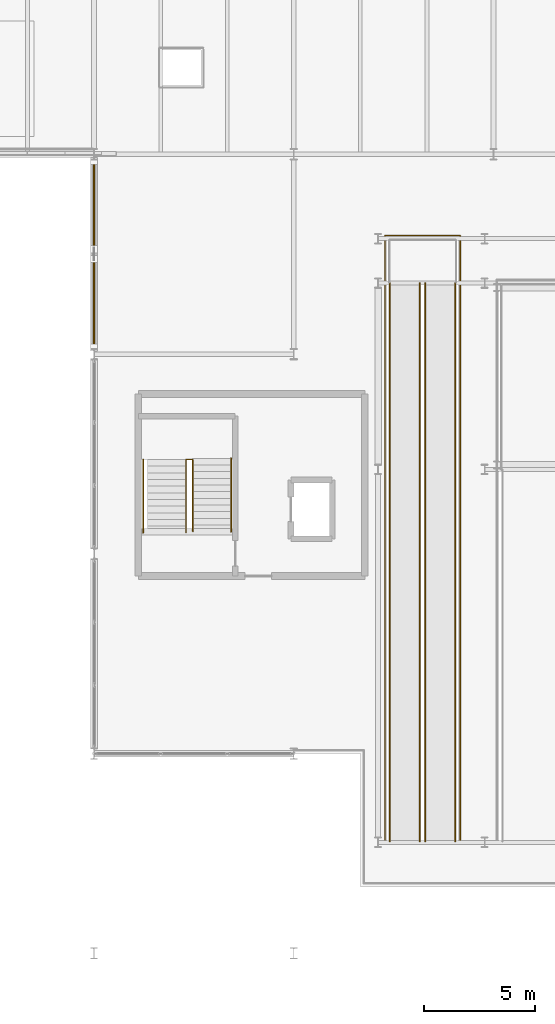
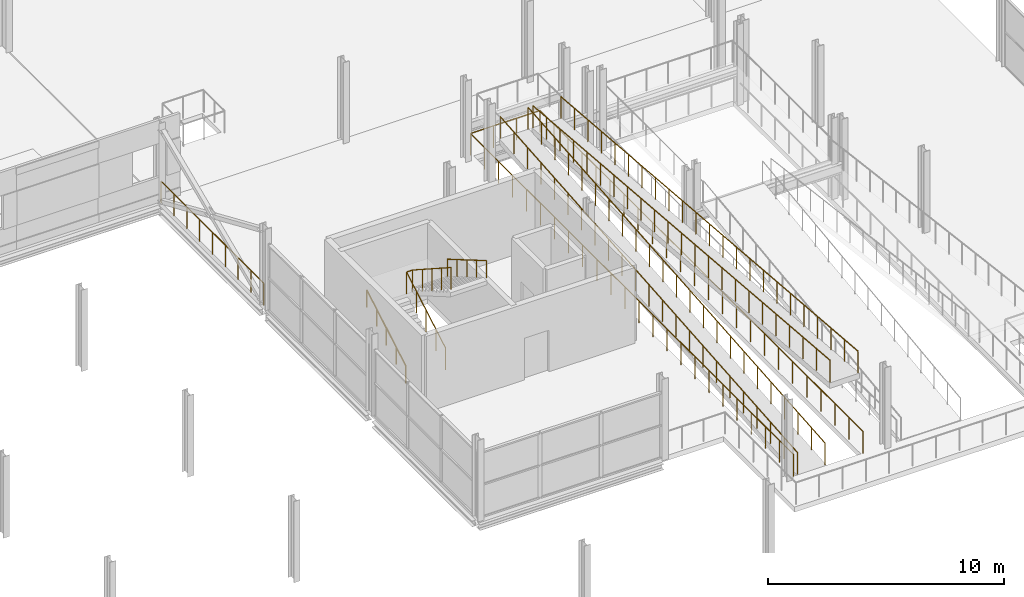
# One storey, part 95 of 103: 9 railings.
"""IFC4 building model written with IfcOpenShell, lengths in metres."""

from ifc_helpers import new_model, si_unit, direction, frame, origin, origin_2d, place, context, subcontext, project, spatial, circle, extrude, material, type_object, element, save


model = new_model("IFC4")

# Units and contexts
model_context = context("Model", 3, precision=1e-05, world=origin(), true_north=direction((0.0, 1.0)))
body_context = subcontext(model_context, "Body", "Model", "MODEL_VIEW")
ifc_project = project(units=[si_unit("LENGTHUNIT", "METRE"), si_unit("AREAUNIT", "SQUARE_METRE"), si_unit("VOLUMEUNIT", "CUBIC_METRE"), si_unit("PLANEANGLEUNIT", "RADIAN"), si_unit("MASSUNIT", "GRAM", prefix="KILO")], contexts=[model_context])

# Site, building, storey
site_placement = place(None, origin())
site = spatial("IfcSite", under=ifc_project, at=site_placement, CompositionType="ELEMENT")
building_placement = place(site_placement, origin())
building = spatial("IfcBuilding", under=site, at=building_placement, Name="Deido Ridge Mobility Hub", CompositionType="ELEMENT")
storey_placement = place(building_placement, frame((0.0, 0.0, 12.60009765625)))
storey = spatial("IfcBuildingStorey", under=building, at=storey_placement, Name="L03", CompositionType="ELEMENT", Elevation=12.60009765625)

# Railings
ifc_material_1 = material(Name="Galvanised steel work", Category="steel")
railing_type_1 = type_object("IfcRailingType", Name="RL-GRD-EXT-1150", PredefinedType="GUARDRAIL", material=ifc_material_1)
railing_1_placement = place(storey_placement, frame((72.0, 72.14990234375, 0.0)))
element("IfcRailing", 1, at=railing_1_placement, inside=storey, type_object=railing_type_1, Name="Braced bay perimeter guard (L03)", PredefinedType="GUARDRAIL", context=body_context, shape_type="SweptSolid", body=[
    extrude(circle(Radius=0.02392578125, at=origin_2d()), frame((0.0, 0.0, 1.1259765625), z_axis=(0.0, 1.0, 0.0), x_axis=(-1.0, 0.0, 0.0)), (0.0, 0.0, 1.0), 8.7001953125),
    extrude(circle(Radius=0.02099609375, at=origin_2d()), origin(), (0.0, 0.0, 1.0), 1.101806640625),
    extrude(circle(Radius=0.02099609375, at=origin_2d()), frame((0.0, 1.08740234375, 0.0)), (0.0, 0.0, 1.0), 1.101806640625),
    extrude(circle(Radius=0.02099609375, at=origin_2d()), frame((0.0, 2.175048828125, 0.0)), (0.0, 0.0, 1.0), 1.101806640625),
    extrude(circle(Radius=0.02099609375, at=origin_2d()), frame((0.0, 3.2626953125, 0.0)), (0.0, 0.0, 1.0), 1.101806640625),
    extrude(circle(Radius=0.02099609375, at=origin_2d()), frame((0.0, 4.35009765625, 0.0)), (0.0, 0.0, 1.0), 1.101806640625),
    extrude(circle(Radius=0.02099609375, at=origin_2d()), frame((0.0, 5.4375, 0.0)), (0.0, 0.0, 1.0), 1.101806640625),
    extrude(circle(Radius=0.02099609375, at=origin_2d()), frame((0.0, 6.525146484375, 0.0)), (0.0, 0.0, 1.0), 1.101806640625),
    extrude(circle(Radius=0.02099609375, at=origin_2d()), frame((0.0, 7.61279296875, 0.0)), (0.0, 0.0, 1.0), 1.101806640625),
    extrude(circle(Radius=0.02099609375, at=origin_2d()), frame((0.0, 8.7001953125, 0.0)), (0.0, 0.0, 1.0), 1.101806640625),
])
railing_2_placement = place(storey_placement, frame((85.10009765625, 50.0, 0.0)))
element("IfcRailing", 2, at=railing_2_placement, inside=storey, type_object=railing_type_1, Name="Cycle ramp well guard (L03)", PredefinedType="GUARDRAIL", context=body_context, shape_type="SweptSolid", body=[
    extrude(circle(Radius=0.02392578125, at=origin_2d()), frame((0.0, 0.0, 1.1259765625), z_axis=(0.0, 1.0, 0.0), x_axis=(-1.0, 0.0, 0.0)), (0.0, 0.0, 1.0), 27.35009765625),
    extrude(circle(Radius=0.02392578125, at=origin_2d()), frame((0.0, 27.35009765625, 1.1259765625), z_axis=(1.0, 0.0, 0.0), x_axis=(0.0, 1.0, 0.0)), (0.0, 0.0, 1.0), 3.39990234375),
    extrude(circle(Radius=0.02392578125, at=origin_2d()), frame((3.39990234375, 27.35009765625, 1.1259765625), z_axis=(0.0, -1.0, 0.0), x_axis=(1.0, 0.0, 0.0)), (0.0, 0.0, 1.0), 27.35009765625),
    extrude(circle(Radius=0.02099609375, at=origin_2d()), origin(), (0.0, 0.0, 1.0), 1.101806640625),
    extrude(circle(Radius=0.02099609375, at=origin_2d()), frame((0.0, 1.189208984375, 0.0)), (0.0, 0.0, 1.0), 1.101806640625),
    extrude(circle(Radius=0.02099609375, at=origin_2d()), frame((0.0, 2.378173828125, 0.0)), (0.0, 0.0, 1.0), 1.101806640625),
    extrude(circle(Radius=0.02099609375, at=origin_2d()), frame((0.0, 3.5673828125, 0.0)), (0.0, 0.0, 1.0), 1.101806640625),
    extrude(circle(Radius=0.02099609375, at=origin_2d()), frame((0.0, 4.756591796875, 0.0)), (0.0, 0.0, 1.0), 1.101806640625),
    extrude(circle(Radius=0.02099609375, at=origin_2d()), frame((0.0, 5.945556640625, 0.0)), (0.0, 0.0, 1.0), 1.101806640625),
    extrude(circle(Radius=0.02099609375, at=origin_2d()), frame((0.0, 7.134765625, 0.0)), (0.0, 0.0, 1.0), 1.101806640625),
    extrude(circle(Radius=0.02099609375, at=origin_2d()), frame((0.0, 8.323974609375, 0.0)), (0.0, 0.0, 1.0), 1.101806640625),
    extrude(circle(Radius=0.02099609375, at=origin_2d()), frame((0.0, 9.51318359375, 0.0)), (0.0, 0.0, 1.0), 1.101806640625),
    extrude(circle(Radius=0.02099609375, at=origin_2d()), frame((0.0, 10.7021484375, 0.0)), (0.0, 0.0, 1.0), 1.101806640625),
    extrude(circle(Radius=0.02099609375, at=origin_2d()), frame((0.0, 11.891357421875, 0.0)), (0.0, 0.0, 1.0), 1.101806640625),
    extrude(circle(Radius=0.02099609375, at=origin_2d()), frame((0.0, 13.08056640625, 0.0)), (0.0, 0.0, 1.0), 1.101806640625),
    extrude(circle(Radius=0.02099609375, at=origin_2d()), frame((0.0, 14.26953125, 0.0)), (0.0, 0.0, 1.0), 1.101806640625),
    extrude(circle(Radius=0.02099609375, at=origin_2d()), frame((0.0, 15.458740234375, 0.0)), (0.0, 0.0, 1.0), 1.101806640625),
    extrude(circle(Radius=0.02099609375, at=origin_2d()), frame((0.0, 16.64794921875, 0.0)), (0.0, 0.0, 1.0), 1.101806640625),
    extrude(circle(Radius=0.02099609375, at=origin_2d()), frame((0.0, 17.8369140625, 0.0)), (0.0, 0.0, 1.0), 1.101806640625),
    extrude(circle(Radius=0.02099609375, at=origin_2d()), frame((0.0, 19.026123046875, 0.0)), (0.0, 0.0, 1.0), 1.101806640625),
    extrude(circle(Radius=0.02099609375, at=origin_2d()), frame((0.0, 20.21533203125, 0.0)), (0.0, 0.0, 1.0), 1.101806640625),
    extrude(circle(Radius=0.02099609375, at=origin_2d()), frame((0.0, 21.404541015625, 0.0)), (0.0, 0.0, 1.0), 1.101806640625),
    extrude(circle(Radius=0.02099609375, at=origin_2d()), frame((0.0, 22.593505859375, 0.0)), (0.0, 0.0, 1.0), 1.101806640625),
    extrude(circle(Radius=0.02099609375, at=origin_2d()), frame((0.0, 23.78271484375, 0.0)), (0.0, 0.0, 1.0), 1.101806640625),
    extrude(circle(Radius=0.02099609375, at=origin_2d()), frame((0.0, 24.971923828125, 0.0)), (0.0, 0.0, 1.0), 1.101806640625),
    extrude(circle(Radius=0.02099609375, at=origin_2d()), frame((0.0, 26.160888671875, 0.0)), (0.0, 0.0, 1.0), 1.101806640625),
    extrude(circle(Radius=0.02099609375, at=origin_2d()), frame((0.0, 27.35009765625, 0.0)), (0.0, 0.0, 1.0), 1.101806640625),
    extrude(circle(Radius=0.02099609375, at=origin_2d()), frame((1.13330078125, 27.35009765625, 0.0)), (0.0, 0.0, 1.0), 1.101806640625),
    extrude(circle(Radius=0.02099609375, at=origin_2d()), frame((2.2666015625, 27.35009765625, 0.0)), (0.0, 0.0, 1.0), 1.101806640625),
    extrude(circle(Radius=0.02099609375, at=origin_2d()), frame((3.39990234375, 27.35009765625, 0.0)), (0.0, 0.0, 1.0), 1.101806640625),
    extrude(circle(Radius=0.02099609375, at=origin_2d()), frame((3.39990234375, 26.160888671875, 0.0)), (0.0, 0.0, 1.0), 1.101806640625),
    extrude(circle(Radius=0.02099609375, at=origin_2d()), frame((3.39990234375, 24.971923828125, 0.0)), (0.0, 0.0, 1.0), 1.101806640625),
    extrude(circle(Radius=0.02099609375, at=origin_2d()), frame((3.39990234375, 23.78271484375, 0.0)), (0.0, 0.0, 1.0), 1.101806640625),
    extrude(circle(Radius=0.02099609375, at=origin_2d()), frame((3.39990234375, 22.593505859375, 0.0)), (0.0, 0.0, 1.0), 1.101806640625),
    extrude(circle(Radius=0.02099609375, at=origin_2d()), frame((3.39990234375, 21.404541015625, 0.0)), (0.0, 0.0, 1.0), 1.101806640625),
    extrude(circle(Radius=0.02099609375, at=origin_2d()), frame((3.39990234375, 20.21533203125, 0.0)), (0.0, 0.0, 1.0), 1.101806640625),
    extrude(circle(Radius=0.02099609375, at=origin_2d()), frame((3.39990234375, 19.026123046875, 0.0)), (0.0, 0.0, 1.0), 1.101806640625),
    extrude(circle(Radius=0.02099609375, at=origin_2d()), frame((3.39990234375, 17.8369140625, 0.0)), (0.0, 0.0, 1.0), 1.101806640625),
    extrude(circle(Radius=0.02099609375, at=origin_2d()), frame((3.39990234375, 16.64794921875, 0.0)), (0.0, 0.0, 1.0), 1.101806640625),
    extrude(circle(Radius=0.02099609375, at=origin_2d()), frame((3.39990234375, 15.458740234375, 0.0)), (0.0, 0.0, 1.0), 1.101806640625),
    extrude(circle(Radius=0.02099609375, at=origin_2d()), frame((3.39990234375, 14.26953125, 0.0)), (0.0, 0.0, 1.0), 1.101806640625),
    extrude(circle(Radius=0.02099609375, at=origin_2d()), frame((3.39990234375, 13.08056640625, 0.0)), (0.0, 0.0, 1.0), 1.101806640625),
    extrude(circle(Radius=0.02099609375, at=origin_2d()), frame((3.39990234375, 11.891357421875, 0.0)), (0.0, 0.0, 1.0), 1.101806640625),
    extrude(circle(Radius=0.02099609375, at=origin_2d()), frame((3.39990234375, 10.7021484375, 0.0)), (0.0, 0.0, 1.0), 1.101806640625),
    extrude(circle(Radius=0.02099609375, at=origin_2d()), frame((3.39990234375, 9.51318359375, 0.0)), (0.0, 0.0, 1.0), 1.101806640625),
    extrude(circle(Radius=0.02099609375, at=origin_2d()), frame((3.39990234375, 8.323974609375, 0.0)), (0.0, 0.0, 1.0), 1.101806640625),
    extrude(circle(Radius=0.02099609375, at=origin_2d()), frame((3.39990234375, 7.134765625, 0.0)), (0.0, 0.0, 1.0), 1.101806640625),
    extrude(circle(Radius=0.02099609375, at=origin_2d()), frame((3.39990234375, 5.945556640625, 0.0)), (0.0, 0.0, 1.0), 1.101806640625),
    extrude(circle(Radius=0.02099609375, at=origin_2d()), frame((3.39990234375, 4.756591796875, 0.0)), (0.0, 0.0, 1.0), 1.101806640625),
    extrude(circle(Radius=0.02099609375, at=origin_2d()), frame((3.39990234375, 3.5673828125, 0.0)), (0.0, 0.0, 1.0), 1.101806640625),
    extrude(circle(Radius=0.02099609375, at=origin_2d()), frame((3.39990234375, 2.378173828125, 0.0)), (0.0, 0.0, 1.0), 1.101806640625),
    extrude(circle(Radius=0.02099609375, at=origin_2d()), frame((3.39990234375, 1.189208984375, 0.0)), (0.0, 0.0, 1.0), 1.101806640625),
    extrude(circle(Radius=0.02099609375, at=origin_2d()), frame((3.39990234375, 0.0, 0.0)), (0.0, 0.0, 1.0), 1.101806640625),
])
railing_3_placement = place(storey_placement, frame((85.320068359375, 50.050048828125, 0.0)))
element("IfcRailing", 3, at=railing_3_placement, inside=storey, type_object=railing_type_1, Name="Cycle ramp F1 guard (L03)", PredefinedType="GUARDRAIL", context=body_context, shape_type="SweptSolid", body=[
    extrude(circle(Radius=0.02392578125, at=origin_2d()), frame((0.0, 0.0, 1.1259765625), z_axis=(0.0, 0.996532535954, 0.083203995008), x_axis=(-1.0, 0.0, 0.0)), (0.0, 0.0, 1.0), 25.2373046875),
    extrude(circle(Radius=0.02099609375, at=origin_2d()), origin(), (0.0, 0.0, 1.0), 1.101806640625),
    extrude(circle(Radius=0.02099609375, at=origin_2d()), frame((0.0, 1.14306640625, 0.095458984375)), (0.0, 0.0, 1.0), 1.101806640625),
    extrude(circle(Radius=0.02099609375, at=origin_2d()), frame((0.0, 2.286376953125, 0.19091796875)), (0.0, 0.0, 1.0), 1.101806640625),
    extrude(circle(Radius=0.02099609375, at=origin_2d()), frame((0.0, 3.429443359375, 0.286376953125)), (0.0, 0.0, 1.0), 1.101806640625),
    extrude(circle(Radius=0.02099609375, at=origin_2d()), frame((0.0, 4.57275390625, 0.3818359375)), (0.0, 0.0, 1.0), 1.101806640625),
    extrude(circle(Radius=0.02099609375, at=origin_2d()), frame((0.0, 5.7158203125, 0.477294921875)), (0.0, 0.0, 1.0), 1.101806640625),
    extrude(circle(Radius=0.02099609375, at=origin_2d()), frame((0.0, 6.859130859375, 0.57275390625)), (0.0, 0.0, 1.0), 1.101806640625),
    extrude(circle(Radius=0.02099609375, at=origin_2d()), frame((0.0, 8.002197265625, 0.668212890625)), (0.0, 0.0, 1.0), 1.101806640625),
    extrude(circle(Radius=0.02099609375, at=origin_2d()), frame((0.0, 9.1455078125, 0.763671875)), (0.0, 0.0, 1.0), 1.101806640625),
    extrude(circle(Radius=0.02099609375, at=origin_2d()), frame((0.0, 10.28857421875, 0.859130859375)), (0.0, 0.0, 1.0), 1.101806640625),
    extrude(circle(Radius=0.02099609375, at=origin_2d()), frame((0.0, 11.431884765625, 0.95458984375)), (0.0, 0.0, 1.0), 1.101806640625),
    extrude(circle(Radius=0.02099609375, at=origin_2d()), frame((0.0, 12.574951171875, 1.0498046875)), (0.0, 0.0, 1.0), 1.101806640625),
    extrude(circle(Radius=0.02099609375, at=origin_2d()), frame((0.0, 13.718017578125, 1.145263671875)), (0.0, 0.0, 1.0), 1.101806640625),
    extrude(circle(Radius=0.02099609375, at=origin_2d()), frame((0.0, 14.861328125, 1.24072265625)), (0.0, 0.0, 1.0), 1.101806640625),
    extrude(circle(Radius=0.02099609375, at=origin_2d()), frame((0.0, 16.00439453125, 1.336181640625)), (0.0, 0.0, 1.0), 1.101806640625),
    extrude(circle(Radius=0.02099609375, at=origin_2d()), frame((0.0, 17.147705078125, 1.431640625)), (0.0, 0.0, 1.0), 1.101806640625),
    extrude(circle(Radius=0.02099609375, at=origin_2d()), frame((0.0, 18.290771484375, 1.527099609375)), (0.0, 0.0, 1.0), 1.101806640625),
    extrude(circle(Radius=0.02099609375, at=origin_2d()), frame((0.0, 19.43408203125, 1.62255859375)), (0.0, 0.0, 1.0), 1.101806640625),
    extrude(circle(Radius=0.02099609375, at=origin_2d()), frame((0.0, 20.5771484375, 1.718017578125)), (0.0, 0.0, 1.0), 1.101806640625),
    extrude(circle(Radius=0.02099609375, at=origin_2d()), frame((0.0, 21.720458984375, 1.8134765625)), (0.0, 0.0, 1.0), 1.101806640625),
    extrude(circle(Radius=0.02099609375, at=origin_2d()), frame((0.0, 22.863525390625, 1.908935546875)), (0.0, 0.0, 1.0), 1.101806640625),
    extrude(circle(Radius=0.02099609375, at=origin_2d()), frame((0.0, 24.0068359375, 2.00439453125)), (0.0, 0.0, 1.0), 1.101806640625),
    extrude(circle(Radius=0.02099609375, at=origin_2d()), frame((0.0, 25.14990234375, 2.099853515625)), (0.0, 0.0, 1.0), 1.101806640625),
])
railing_4_placement = place(storey_placement, frame((86.679931640625, 50.050048828125, 0.0)))
element("IfcRailing", 4, at=railing_4_placement, inside=storey, type_object=railing_type_1, Name="Cycle ramp F1 guard (L03)", PredefinedType="GUARDRAIL", context=body_context, shape_type="SweptSolid", body=[
    extrude(circle(Radius=0.02392578125, at=origin_2d()), frame((0.0, 0.0, 1.1259765625), z_axis=(0.0, 0.996532535954, 0.083203995008), x_axis=(-1.0, 0.0, 0.0)), (0.0, 0.0, 1.0), 25.2373046875),
    extrude(circle(Radius=0.02099609375, at=origin_2d()), origin(), (0.0, 0.0, 1.0), 1.101806640625),
    extrude(circle(Radius=0.02099609375, at=origin_2d()), frame((0.0, 1.14306640625, 0.095458984375)), (0.0, 0.0, 1.0), 1.101806640625),
    extrude(circle(Radius=0.02099609375, at=origin_2d()), frame((0.0, 2.286376953125, 0.19091796875)), (0.0, 0.0, 1.0), 1.101806640625),
    extrude(circle(Radius=0.02099609375, at=origin_2d()), frame((0.0, 3.429443359375, 0.286376953125)), (0.0, 0.0, 1.0), 1.101806640625),
    extrude(circle(Radius=0.02099609375, at=origin_2d()), frame((0.0, 4.57275390625, 0.3818359375)), (0.0, 0.0, 1.0), 1.101806640625),
    extrude(circle(Radius=0.02099609375, at=origin_2d()), frame((0.0, 5.7158203125, 0.477294921875)), (0.0, 0.0, 1.0), 1.101806640625),
    extrude(circle(Radius=0.02099609375, at=origin_2d()), frame((0.0, 6.859130859375, 0.57275390625)), (0.0, 0.0, 1.0), 1.101806640625),
    extrude(circle(Radius=0.02099609375, at=origin_2d()), frame((0.0, 8.002197265625, 0.668212890625)), (0.0, 0.0, 1.0), 1.101806640625),
    extrude(circle(Radius=0.02099609375, at=origin_2d()), frame((0.0, 9.1455078125, 0.763671875)), (0.0, 0.0, 1.0), 1.101806640625),
    extrude(circle(Radius=0.02099609375, at=origin_2d()), frame((0.0, 10.28857421875, 0.859130859375)), (0.0, 0.0, 1.0), 1.101806640625),
    extrude(circle(Radius=0.02099609375, at=origin_2d()), frame((0.0, 11.431884765625, 0.95458984375)), (0.0, 0.0, 1.0), 1.101806640625),
    extrude(circle(Radius=0.02099609375, at=origin_2d()), frame((0.0, 12.574951171875, 1.0498046875)), (0.0, 0.0, 1.0), 1.101806640625),
    extrude(circle(Radius=0.02099609375, at=origin_2d()), frame((0.0, 13.718017578125, 1.145263671875)), (0.0, 0.0, 1.0), 1.101806640625),
    extrude(circle(Radius=0.02099609375, at=origin_2d()), frame((0.0, 14.861328125, 1.24072265625)), (0.0, 0.0, 1.0), 1.101806640625),
    extrude(circle(Radius=0.02099609375, at=origin_2d()), frame((0.0, 16.00439453125, 1.336181640625)), (0.0, 0.0, 1.0), 1.101806640625),
    extrude(circle(Radius=0.02099609375, at=origin_2d()), frame((0.0, 17.147705078125, 1.431640625)), (0.0, 0.0, 1.0), 1.101806640625),
    extrude(circle(Radius=0.02099609375, at=origin_2d()), frame((0.0, 18.290771484375, 1.527099609375)), (0.0, 0.0, 1.0), 1.101806640625),
    extrude(circle(Radius=0.02099609375, at=origin_2d()), frame((0.0, 19.43408203125, 1.62255859375)), (0.0, 0.0, 1.0), 1.101806640625),
    extrude(circle(Radius=0.02099609375, at=origin_2d()), frame((0.0, 20.5771484375, 1.718017578125)), (0.0, 0.0, 1.0), 1.101806640625),
    extrude(circle(Radius=0.02099609375, at=origin_2d()), frame((0.0, 21.720458984375, 1.8134765625)), (0.0, 0.0, 1.0), 1.101806640625),
    extrude(circle(Radius=0.02099609375, at=origin_2d()), frame((0.0, 22.863525390625, 1.908935546875)), (0.0, 0.0, 1.0), 1.101806640625),
    extrude(circle(Radius=0.02099609375, at=origin_2d()), frame((0.0, 24.0068359375, 2.00439453125)), (0.0, 0.0, 1.0), 1.101806640625),
    extrude(circle(Radius=0.02099609375, at=origin_2d()), frame((0.0, 25.14990234375, 2.099853515625)), (0.0, 0.0, 1.0), 1.101806640625),
])
railing_5_placement = place(storey_placement, frame((86.919921875, 75.199951171875, 2.099853515625)))
element("IfcRailing", 5, at=railing_5_placement, inside=storey, type_object=railing_type_1, Name="Cycle ramp F2 guard (L03)", PredefinedType="GUARDRAIL", context=body_context, shape_type="SweptSolid", body=[
    extrude(circle(Radius=0.02392578125, at=origin_2d()), frame((0.0, 0.0, 1.1259765625), z_axis=(0.0, -0.996531733804, 0.083213601784), x_axis=(1.0, 0.0, 0.0)), (0.0, 0.0, 1.0), 25.237548828125),
    extrude(circle(Radius=0.02099609375, at=origin_2d()), origin(), (0.0, 0.0, 1.0), 1.101806640625),
    extrude(circle(Radius=0.02099609375, at=origin_2d()), frame((0.0, -1.14306640625, 0.095458984375)), (0.0, 0.0, 1.0), 1.101806640625),
    extrude(circle(Radius=0.02099609375, at=origin_2d()), frame((0.0, -2.286376953125, 0.19091796875)), (0.0, 0.0, 1.0), 1.101806640625),
    extrude(circle(Radius=0.02099609375, at=origin_2d()), frame((0.0, -3.429443359375, 0.286376953125)), (0.0, 0.0, 1.0), 1.101806640625),
    extrude(circle(Radius=0.02099609375, at=origin_2d()), frame((0.0, -4.57275390625, 0.3818359375)), (0.0, 0.0, 1.0), 1.101806640625),
    extrude(circle(Radius=0.02099609375, at=origin_2d()), frame((0.0, -5.7158203125, 0.477294921875)), (0.0, 0.0, 1.0), 1.101806640625),
    extrude(circle(Radius=0.02099609375, at=origin_2d()), frame((0.0, -6.859130859375, 0.57275390625)), (0.0, 0.0, 1.0), 1.101806640625),
    extrude(circle(Radius=0.02099609375, at=origin_2d()), frame((0.0, -8.002197265625, 0.668212890625)), (0.0, 0.0, 1.0), 1.101806640625),
    extrude(circle(Radius=0.02099609375, at=origin_2d()), frame((0.0, -9.1455078125, 0.763671875)), (0.0, 0.0, 1.0), 1.101806640625),
    extrude(circle(Radius=0.02099609375, at=origin_2d()), frame((0.0, -10.28857421875, 0.859130859375)), (0.0, 0.0, 1.0), 1.101806640625),
    extrude(circle(Radius=0.02099609375, at=origin_2d()), frame((0.0, -11.431884765625, 0.95458984375)), (0.0, 0.0, 1.0), 1.101806640625),
    extrude(circle(Radius=0.02099609375, at=origin_2d()), frame((0.0, -12.574951171875, 1.050048828125)), (0.0, 0.0, 1.0), 1.101806640625),
    extrude(circle(Radius=0.02099609375, at=origin_2d()), frame((0.0, -13.718017578125, 1.1455078125)), (0.0, 0.0, 1.0), 1.101806640625),
    extrude(circle(Radius=0.02099609375, at=origin_2d()), frame((0.0, -14.861328125, 1.240966796875)), (0.0, 0.0, 1.0), 1.101806640625),
    extrude(circle(Radius=0.02099609375, at=origin_2d()), frame((0.0, -16.00439453125, 1.33642578125)), (0.0, 0.0, 1.0), 1.101806640625),
    extrude(circle(Radius=0.02099609375, at=origin_2d()), frame((0.0, -17.147705078125, 1.431884765625)), (0.0, 0.0, 1.0), 1.101806640625),
    extrude(circle(Radius=0.02099609375, at=origin_2d()), frame((0.0, -18.290771484375, 1.52734375)), (0.0, 0.0, 1.0), 1.101806640625),
    extrude(circle(Radius=0.02099609375, at=origin_2d()), frame((0.0, -19.43408203125, 1.622802734375)), (0.0, 0.0, 1.0), 1.101806640625),
    extrude(circle(Radius=0.02099609375, at=origin_2d()), frame((0.0, -20.5771484375, 1.71826171875)), (0.0, 0.0, 1.0), 1.101806640625),
    extrude(circle(Radius=0.02099609375, at=origin_2d()), frame((0.0, -21.720458984375, 1.813720703125)), (0.0, 0.0, 1.0), 1.101806640625),
    extrude(circle(Radius=0.02099609375, at=origin_2d()), frame((0.0, -22.863525390625, 1.9091796875)), (0.0, 0.0, 1.0), 1.101806640625),
    extrude(circle(Radius=0.02099609375, at=origin_2d()), frame((0.0, -24.0068359375, 2.004638671875)), (0.0, 0.0, 1.0), 1.101806640625),
    extrude(circle(Radius=0.02099609375, at=origin_2d()), frame((0.0, -25.14990234375, 2.10009765625)), (0.0, 0.0, 1.0), 1.101806640625),
])
railing_6_placement = place(storey_placement, frame((88.280029296875, 75.199951171875, 2.099853515625)))
element("IfcRailing", 6, at=railing_6_placement, inside=storey, type_object=railing_type_1, Name="Cycle ramp F2 guard (L03)", PredefinedType="GUARDRAIL", context=body_context, shape_type="SweptSolid", body=[
    extrude(circle(Radius=0.02392578125, at=origin_2d()), frame((0.0, 0.0, 1.1259765625), z_axis=(0.0, -0.996531733804, 0.083213601784), x_axis=(1.0, 0.0, 0.0)), (0.0, 0.0, 1.0), 25.237548828125),
    extrude(circle(Radius=0.02099609375, at=origin_2d()), origin(), (0.0, 0.0, 1.0), 1.101806640625),
    extrude(circle(Radius=0.02099609375, at=origin_2d()), frame((0.0, -1.14306640625, 0.095458984375)), (0.0, 0.0, 1.0), 1.101806640625),
    extrude(circle(Radius=0.02099609375, at=origin_2d()), frame((0.0, -2.286376953125, 0.19091796875)), (0.0, 0.0, 1.0), 1.101806640625),
    extrude(circle(Radius=0.02099609375, at=origin_2d()), frame((0.0, -3.429443359375, 0.286376953125)), (0.0, 0.0, 1.0), 1.101806640625),
    extrude(circle(Radius=0.02099609375, at=origin_2d()), frame((0.0, -4.57275390625, 0.3818359375)), (0.0, 0.0, 1.0), 1.101806640625),
    extrude(circle(Radius=0.02099609375, at=origin_2d()), frame((0.0, -5.7158203125, 0.477294921875)), (0.0, 0.0, 1.0), 1.101806640625),
    extrude(circle(Radius=0.02099609375, at=origin_2d()), frame((0.0, -6.859130859375, 0.57275390625)), (0.0, 0.0, 1.0), 1.101806640625),
    extrude(circle(Radius=0.02099609375, at=origin_2d()), frame((0.0, -8.002197265625, 0.668212890625)), (0.0, 0.0, 1.0), 1.101806640625),
    extrude(circle(Radius=0.02099609375, at=origin_2d()), frame((0.0, -9.1455078125, 0.763671875)), (0.0, 0.0, 1.0), 1.101806640625),
    extrude(circle(Radius=0.02099609375, at=origin_2d()), frame((0.0, -10.28857421875, 0.859130859375)), (0.0, 0.0, 1.0), 1.101806640625),
    extrude(circle(Radius=0.02099609375, at=origin_2d()), frame((0.0, -11.431884765625, 0.95458984375)), (0.0, 0.0, 1.0), 1.101806640625),
    extrude(circle(Radius=0.02099609375, at=origin_2d()), frame((0.0, -12.574951171875, 1.050048828125)), (0.0, 0.0, 1.0), 1.101806640625),
    extrude(circle(Radius=0.02099609375, at=origin_2d()), frame((0.0, -13.718017578125, 1.1455078125)), (0.0, 0.0, 1.0), 1.101806640625),
    extrude(circle(Radius=0.02099609375, at=origin_2d()), frame((0.0, -14.861328125, 1.240966796875)), (0.0, 0.0, 1.0), 1.101806640625),
    extrude(circle(Radius=0.02099609375, at=origin_2d()), frame((0.0, -16.00439453125, 1.33642578125)), (0.0, 0.0, 1.0), 1.101806640625),
    extrude(circle(Radius=0.02099609375, at=origin_2d()), frame((0.0, -17.147705078125, 1.431884765625)), (0.0, 0.0, 1.0), 1.101806640625),
    extrude(circle(Radius=0.02099609375, at=origin_2d()), frame((0.0, -18.290771484375, 1.52734375)), (0.0, 0.0, 1.0), 1.101806640625),
    extrude(circle(Radius=0.02099609375, at=origin_2d()), frame((0.0, -19.43408203125, 1.622802734375)), (0.0, 0.0, 1.0), 1.101806640625),
    extrude(circle(Radius=0.02099609375, at=origin_2d()), frame((0.0, -20.5771484375, 1.71826171875)), (0.0, 0.0, 1.0), 1.101806640625),
    extrude(circle(Radius=0.02099609375, at=origin_2d()), frame((0.0, -21.720458984375, 1.813720703125)), (0.0, 0.0, 1.0), 1.101806640625),
    extrude(circle(Radius=0.02099609375, at=origin_2d()), frame((0.0, -22.863525390625, 1.9091796875)), (0.0, 0.0, 1.0), 1.101806640625),
    extrude(circle(Radius=0.02099609375, at=origin_2d()), frame((0.0, -24.0068359375, 2.004638671875)), (0.0, 0.0, 1.0), 1.101806640625),
    extrude(circle(Radius=0.02099609375, at=origin_2d()), frame((0.0, -25.14990234375, 2.10009765625)), (0.0, 0.0, 1.0), 1.101806640625),
])
railing_type_2 = type_object("IfcRailingType", Name="RL-STAIR-GRD-1150", PredefinedType="GUARDRAIL", material=ifc_material_1)
railing_7_placement = place(storey_placement, frame((76.14990234375, 63.949951171875, 0.1748046875)))
element("IfcRailing", 7, at=railing_7_placement, inside=storey, type_object=railing_type_2, Name="ST4 inner well guard (L03)", PredefinedType="GUARDRAIL", context=body_context, shape_type="SweptSolid", body=[
    extrude(circle(Radius=0.02392578125, at=origin_2d()), frame((0.0, 0.0, 1.1259765625), z_axis=(0.0, 0.863776583165, 0.503874998761), x_axis=(-1.0, 0.0, 0.0)), (0.0, 0.0, 1.0), 3.820556640625),
    extrude(circle(Radius=0.02392578125, at=origin_2d()), frame((0.0, 3.300048828125, 3.05078125), z_axis=(1.0, 0.0, 0.0), x_axis=(0.0, 1.0, 0.0)), (0.0, 0.0, 1.0), 0.300048828125),
    extrude(circle(Radius=0.02392578125, at=origin_2d()), frame((0.300048828125, 3.300048828125, 3.05078125), z_axis=(0.0, -0.839905164138, 0.542733189748), x_axis=(1.0, 0.0, 0.0)), (0.0, 0.0, 1.0), 3.869384765625),
    extrude(circle(Radius=0.02099609375, at=origin_2d()), origin(), (0.0, 0.0, 1.0), 1.101806640625),
    extrude(circle(Radius=0.02099609375, at=origin_2d()), frame((0.0, 0.824951171875, 0.481201171875)), (0.0, 0.0, 1.0), 1.101806640625),
    extrude(circle(Radius=0.02099609375, at=origin_2d()), frame((0.0, 1.64990234375, 0.96240234375)), (0.0, 0.0, 1.0), 1.101806640625),
    extrude(circle(Radius=0.02099609375, at=origin_2d()), frame((0.0, 2.47509765625, 1.44384765625)), (0.0, 0.0, 1.0), 1.101806640625),
    extrude(circle(Radius=0.02099609375, at=origin_2d()), frame((0.0, 3.300048828125, 1.925048828125)), (0.0, 0.0, 1.0), 1.101806640625),
    extrude(circle(Radius=0.02099609375, at=origin_2d()), frame((0.300048828125, 3.300048828125, 1.925048828125)), (0.0, 0.0, 1.0), 1.101806640625),
    extrude(circle(Radius=0.02099609375, at=origin_2d()), frame((0.300048828125, 2.487548828125, 2.4501953125)), (0.0, 0.0, 1.0), 1.101806640625),
    extrude(circle(Radius=0.02099609375, at=origin_2d()), frame((0.300048828125, 1.675048828125, 2.97509765625)), (0.0, 0.0, 1.0), 1.101806640625),
    extrude(circle(Radius=0.02099609375, at=origin_2d()), frame((0.300048828125, 0.862548828125, 3.5)), (0.0, 0.0, 1.0), 1.101806640625),
    extrude(circle(Radius=0.02099609375, at=origin_2d()), frame((0.300048828125, 0.050048828125, 4.025146484375)), (0.0, 0.0, 1.0), 1.101806640625),
])
ifc_material_2 = material(Name="Stainless steel 316", Category="steel")
railing_type_3 = type_object("IfcRailingType", Name="RL-STAIR-HND-900", PredefinedType="HANDRAIL", material=ifc_material_2)
railing_8_placement = place(storey_placement, frame((74.2099609375, 63.949951171875, 0.1748046875)))
element("IfcRailing", 8, at=railing_8_placement, inside=storey, type_object=railing_type_3, Name="ST4 flight 1 handrail (L03)", PredefinedType="HANDRAIL", context=body_context, shape_type="SweptSolid", body=[
    extrude(circle(Radius=0.02392578125, at=origin_2d()), frame((0.0, 0.0, 0.8759765625), z_axis=(0.0, 0.863776583165, 0.503874998761), x_axis=(-1.0, 0.0, 0.0)), (0.0, 0.0, 1.0), 3.820556640625),
    extrude(circle(Radius=0.02099609375, at=origin_2d()), origin(), (0.0, 0.0, 1.0), 0.851806640625),
    extrude(circle(Radius=0.02099609375, at=origin_2d()), frame((0.0, 0.824951171875, 0.481201171875)), (0.0, 0.0, 1.0), 0.851806640625),
    extrude(circle(Radius=0.02099609375, at=origin_2d()), frame((0.0, 1.64990234375, 0.96240234375)), (0.0, 0.0, 1.0), 0.851806640625),
    extrude(circle(Radius=0.02099609375, at=origin_2d()), frame((0.0, 2.47509765625, 1.44384765625)), (0.0, 0.0, 1.0), 0.851806640625),
    extrude(circle(Radius=0.02099609375, at=origin_2d()), frame((0.0, 3.300048828125, 1.925048828125)), (0.0, 0.0, 1.0), 0.851806640625),
])
railing_9_placement = place(storey_placement, frame((78.175048828125, 67.300048828125, 2.27490234375)))
element("IfcRailing", 9, at=railing_9_placement, inside=storey, type_object=railing_type_3, Name="ST4 flight 2 handrail (L03)", PredefinedType="HANDRAIL", context=body_context, shape_type="SweptSolid", body=[
    extrude(circle(Radius=0.02392578125, at=origin_2d()), frame((0.0, 0.0, 0.8759765625), z_axis=(0.0, -0.863776583165, 0.503874998761), x_axis=(1.0, 0.0, 0.0)), (0.0, 0.0, 1.0), 3.820556640625),
    extrude(circle(Radius=0.02099609375, at=origin_2d()), origin(), (0.0, 0.0, 1.0), 0.851806640625),
    extrude(circle(Radius=0.02099609375, at=origin_2d()), frame((0.0, -0.824951171875, 0.481201171875)), (0.0, 0.0, 1.0), 0.851806640625),
    extrude(circle(Radius=0.02099609375, at=origin_2d()), frame((0.0, -1.64990234375, 0.96240234375)), (0.0, 0.0, 1.0), 0.851806640625),
    extrude(circle(Radius=0.02099609375, at=origin_2d()), frame((0.0, -2.47509765625, 1.44384765625)), (0.0, 0.0, 1.0), 0.851806640625),
    extrude(circle(Radius=0.02099609375, at=origin_2d()), frame((0.0, -3.300048828125, 1.925048828125)), (0.0, 0.0, 1.0), 0.851806640625),
])

save(model, "model.ifc")
